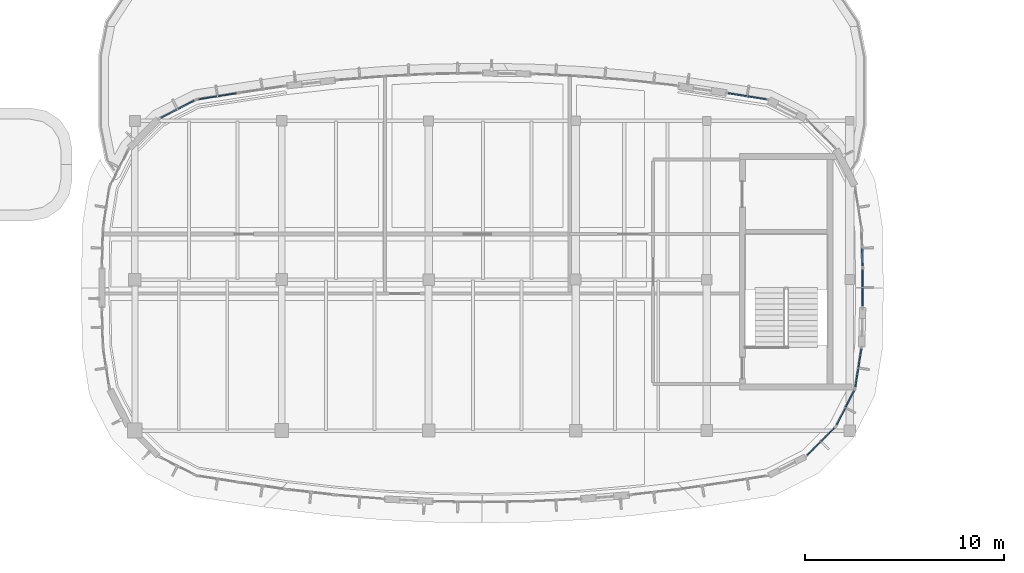
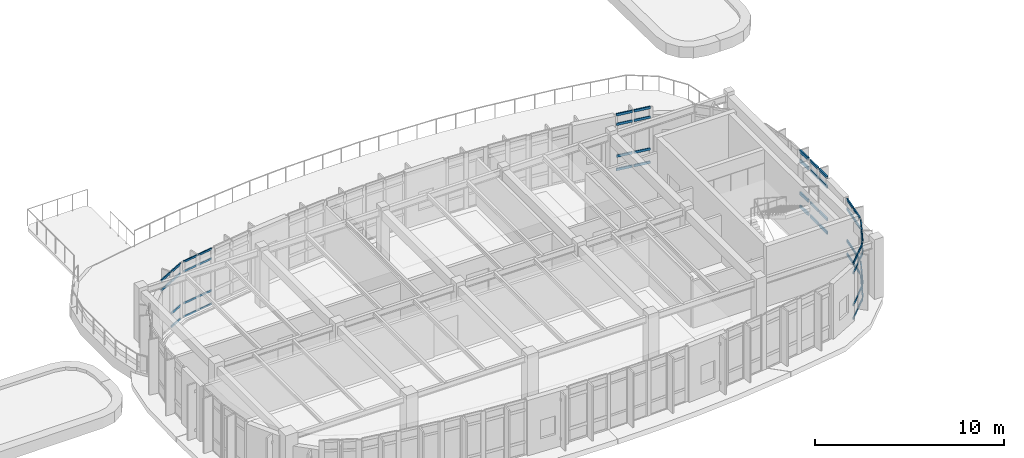
# One storey, part 58 of 111: 58 members, 8 elements without a shape of their own.
"""IFC4 building model written with IfcOpenShell, lengths in metres."""

from ifc_helpers import new_model, si_unit, direction, frame, origin, origin_2d, place, context, subcontext, project, spatial, rectangle, extrude, material, material_profile, profile_set, type_object, element, aggregate, save


model = new_model("IFC4")

# Units and contexts
model_context = context("Model", 3, precision=1e-05, world=origin(), true_north=direction((0.0, 1.0)))
body_context = subcontext(model_context, "Body", "Model", "MODEL_VIEW")
ifc_project = project(units=[si_unit("LENGTHUNIT", "METRE"), si_unit("AREAUNIT", "SQUARE_METRE"), si_unit("VOLUMEUNIT", "CUBIC_METRE"), si_unit("PLANEANGLEUNIT", "RADIAN"), si_unit("MASSUNIT", "GRAM", prefix="KILO")], contexts=[model_context])

# Site, building, storey
site_placement = place(None, origin())
site = spatial("IfcSite", under=ifc_project, at=site_placement, CompositionType="ELEMENT")
building_placement = place(site_placement, origin())
building = spatial("IfcBuilding", under=site, at=building_placement, Name="Corveleigh Park Community Centre", CompositionType="ELEMENT")
storey_placement = place(building_placement, frame((0.0, 0.0, 4.800048828125)))
storey = spatial("IfcBuildingStorey", under=building, at=storey_placement, Name="L01", CompositionType="ELEMENT", Elevation=4.800048828125)

# Curtain wall, members
ifc_material = material(Name="Anodised aluminium 6063-T6", Category="aluminium")
curtain_wall_type = type_object("IfcCurtainWallType", Name="CW-SYS-V3-UPP", PredefinedType="NOTDEFINED", material=ifc_material)
curtain_wall_1_placement = place(storey_placement, origin())
curtain_wall_1 = element("IfcCurtainWall", 1, at=curtain_wall_1_placement, inside=storey, type_object=curtain_wall_type, Name="V3 L01 Curtain Wall 236", PredefinedType="NOTDEFINED")
ifc_material_profile_1 = material_profile(ifc_material, rectangle(XDim=0.06005859375, YDim=0.1201171875, at=origin_2d()), Name="ALU-T60x120", Category="aluminium")
ifc_profile_set_1 = profile_set([ifc_material_profile_1], Name="Anodised aluminium 6063-T6")
member_type_1 = type_object("IfcMemberType", Name="CWT-60x120", PredefinedType="USERDEFINED", material=ifc_profile_set_1)
member_1_placement = place(storey_placement, frame((107.22802734375, 11.330078125, 0.030029296875), z_axis=(-0.707106781187, -0.707106781187, 0.0), x_axis=(0.707106781187, -0.707106781187, 0.0)))
member_1 = element("IfcMember", 2, at=member_1_placement, type_object=member_type_1, Name="CW06 transom 1.1", ObjectType="TRANSOM", PredefinedType="USERDEFINED", context=body_context, shape_type="SweptSolid", body=[
    extrude(rectangle(XDim=0.06005859375, YDim=0.1201171875, at=origin_2d()), origin(), (0.0, 0.0, 1.0), 0.927734375),
])
member_2_placement = place(storey_placement, frame((107.22802734375, 11.330078125, 0.89990234375), z_axis=(-0.707106781187, -0.707106781187, 0.0), x_axis=(0.707106781187, -0.707106781187, 0.0)))
member_2 = element("IfcMember", 3, at=member_2_placement, type_object=member_type_1, Name="CW06 transom 1.2", ObjectType="TRANSOM", PredefinedType="USERDEFINED", context=body_context, shape_type="SweptSolid", body=[
    extrude(rectangle(XDim=0.06005859375, YDim=0.1201171875, at=origin_2d()), origin(), (0.0, 0.0, 1.0), 0.927734375),
])
member_3_placement = place(storey_placement, frame((107.22802734375, 11.330078125, 2.969970703125), z_axis=(-0.707106781187, -0.707106781187, 0.0), x_axis=(0.707106781187, -0.707106781187, 0.0)))
member_3 = element("IfcMember", 4, at=member_3_placement, type_object=member_type_1, Name="CW06 transom 1.3", ObjectType="TRANSOM", PredefinedType="USERDEFINED", context=body_context, shape_type="SweptSolid", body=[
    extrude(rectangle(XDim=0.06005859375, YDim=0.1201171875, at=origin_2d()), origin(), (0.0, 0.0, 1.0), 0.927734375),
])
member_4_placement = place(storey_placement, frame((107.22802734375, 11.330078125, 3.58984375), z_axis=(-0.707106781187, -0.707106781187, 0.0), x_axis=(0.707106781187, -0.707106781187, 0.0)))
member_4 = element("IfcMember", 5, at=member_4_placement, type_object=member_type_1, Name="CW06 transom 1.4", ObjectType="TRANSOM", PredefinedType="USERDEFINED", context=body_context, shape_type="SweptSolid", body=[
    extrude(rectangle(XDim=0.06005859375, YDim=0.1201171875, at=origin_2d()), origin(), (0.0, 0.0, 1.0), 0.927734375),
])
member_5_placement = place(storey_placement, frame((106.526123046875, 10.6279296875, 0.030029296875), z_axis=(-0.707238323697, -0.706975214201, 0.0), x_axis=(0.706975214201, -0.707238323697, 0.0)))
member_5 = element("IfcMember", 6, at=member_5_placement, type_object=member_type_1, Name="CW06 transom 2.1", ObjectType="TRANSOM", PredefinedType="USERDEFINED", context=body_context, shape_type="SweptSolid", body=[
    extrude(rectangle(XDim=0.06005859375, YDim=0.1201171875, at=origin_2d()), origin(), (0.0, 0.0, 1.0), 0.927978515625),
])
member_6_placement = place(storey_placement, frame((106.526123046875, 10.6279296875, 0.89990234375), z_axis=(-0.707238323697, -0.706975214201, 0.0), x_axis=(0.706975214201, -0.707238323697, 0.0)))
member_6 = element("IfcMember", 7, at=member_6_placement, type_object=member_type_1, Name="CW06 transom 2.2", ObjectType="TRANSOM", PredefinedType="USERDEFINED", context=body_context, shape_type="SweptSolid", body=[
    extrude(rectangle(XDim=0.06005859375, YDim=0.1201171875, at=origin_2d()), origin(), (0.0, 0.0, 1.0), 0.927978515625),
])
member_7_placement = place(storey_placement, frame((106.526123046875, 10.6279296875, 2.969970703125), z_axis=(-0.707238323697, -0.706975214201, 0.0), x_axis=(0.706975214201, -0.707238323697, 0.0)))
member_7 = element("IfcMember", 8, at=member_7_placement, type_object=member_type_1, Name="CW06 transom 2.3", ObjectType="TRANSOM", PredefinedType="USERDEFINED", context=body_context, shape_type="SweptSolid", body=[
    extrude(rectangle(XDim=0.06005859375, YDim=0.1201171875, at=origin_2d()), origin(), (0.0, 0.0, 1.0), 0.927978515625),
])
member_8_placement = place(storey_placement, frame((106.526123046875, 10.6279296875, 3.58984375), z_axis=(-0.707238323697, -0.706975214201, 0.0), x_axis=(0.706975214201, -0.707238323697, 0.0)))
member_8 = element("IfcMember", 9, at=member_8_placement, type_object=member_type_1, Name="CW06 transom 2.4", ObjectType="TRANSOM", PredefinedType="USERDEFINED", context=body_context, shape_type="SweptSolid", body=[
    extrude(rectangle(XDim=0.06005859375, YDim=0.1201171875, at=origin_2d()), origin(), (0.0, 0.0, 1.0), 0.927978515625),
])
aggregate(curtain_wall_1, [member_1, member_2, member_3, member_4, member_5, member_6, member_7, member_8])

curtain_wall_2_placement = place(storey_placement, origin())
curtain_wall_2 = element("IfcCurtainWall", 10, at=curtain_wall_2_placement, inside=storey, type_object=curtain_wall_type, Name="V3 L01 Curtain Wall 251", PredefinedType="NOTDEFINED")
member_9_placement = place(storey_placement, frame((75.216064453125, 27.885498046875, 0.030029296875), z_axis=(0.987646603365, 0.1566977564, 0.0), x_axis=(-0.1566977564, 0.987646603365, 0.0)))
member_9 = element("IfcMember", 11, at=member_9_placement, type_object=member_type_1, Name="CW06 transom 1.1", ObjectType="TRANSOM", PredefinedType="USERDEFINED", context=body_context, shape_type="SweptSolid", body=[
    extrude(rectangle(XDim=0.06005859375, YDim=0.1201171875, at=origin_2d()), origin(), (0.0, 0.0, 1.0), 0.9208984375),
])
member_10_placement = place(storey_placement, frame((75.216064453125, 27.885498046875, 0.89990234375), z_axis=(0.987646603365, 0.1566977564, 0.0), x_axis=(-0.1566977564, 0.987646603365, 0.0)))
member_10 = element("IfcMember", 12, at=member_10_placement, type_object=member_type_1, Name="CW06 transom 1.2", ObjectType="TRANSOM", PredefinedType="USERDEFINED", context=body_context, shape_type="SweptSolid", body=[
    extrude(rectangle(XDim=0.06005859375, YDim=0.1201171875, at=origin_2d()), origin(), (0.0, 0.0, 1.0), 0.9208984375),
])
member_11_placement = place(storey_placement, frame((75.216064453125, 27.885498046875, 2.9619140625), z_axis=(0.987646603365, 0.1566977564, 0.0), x_axis=(-0.1566977564, 0.987646603365, 0.0)))
member_11 = element("IfcMember", 13, at=member_11_placement, type_object=member_type_1, Name="CW06 transom 1.3", ObjectType="TRANSOM", PredefinedType="USERDEFINED", context=body_context, shape_type="SweptSolid", body=[
    extrude(rectangle(XDim=0.06005859375, YDim=0.1201171875, at=origin_2d()), origin(), (0.0, 0.0, 1.0), 0.9208984375),
])
member_12_placement = place(storey_placement, frame((75.216064453125, 27.885498046875, 3.58203125), z_axis=(0.987646603365, 0.1566977564, 0.0), x_axis=(-0.1566977564, 0.987646603365, 0.0)))
member_12 = element("IfcMember", 14, at=member_12_placement, type_object=member_type_1, Name="CW06 transom 1.4", ObjectType="TRANSOM", PredefinedType="USERDEFINED", context=body_context, shape_type="SweptSolid", body=[
    extrude(rectangle(XDim=0.06005859375, YDim=0.1201171875, at=origin_2d()), origin(), (0.0, 0.0, 1.0), 0.9208984375),
])
member_13_placement = place(storey_placement, frame((76.20458984375, 28.042236328125, 0.030029296875), z_axis=(0.987646603365, 0.1566977564, 0.0), x_axis=(-0.1566977564, 0.987646603365, 0.0)))
member_13 = element("IfcMember", 15, at=member_13_placement, type_object=member_type_1, Name="CW06 transom 2.1", ObjectType="TRANSOM", PredefinedType="USERDEFINED", context=body_context, shape_type="SweptSolid", body=[
    extrude(rectangle(XDim=0.06005859375, YDim=0.1201171875, at=origin_2d()), origin(), (0.0, 0.0, 1.0), 0.9208984375),
])
member_14_placement = place(storey_placement, frame((76.20458984375, 28.042236328125, 0.89990234375), z_axis=(0.987646603365, 0.1566977564, 0.0), x_axis=(-0.1566977564, 0.987646603365, 0.0)))
member_14 = element("IfcMember", 16, at=member_14_placement, type_object=member_type_1, Name="CW06 transom 2.2", ObjectType="TRANSOM", PredefinedType="USERDEFINED", context=body_context, shape_type="SweptSolid", body=[
    extrude(rectangle(XDim=0.06005859375, YDim=0.1201171875, at=origin_2d()), origin(), (0.0, 0.0, 1.0), 0.9208984375),
])
member_15_placement = place(storey_placement, frame((76.20458984375, 28.042236328125, 2.9619140625), z_axis=(0.987646603365, 0.1566977564, 0.0), x_axis=(-0.1566977564, 0.987646603365, 0.0)))
member_15 = element("IfcMember", 17, at=member_15_placement, type_object=member_type_1, Name="CW06 transom 2.3", ObjectType="TRANSOM", PredefinedType="USERDEFINED", context=body_context, shape_type="SweptSolid", body=[
    extrude(rectangle(XDim=0.06005859375, YDim=0.1201171875, at=origin_2d()), origin(), (0.0, 0.0, 1.0), 0.9208984375),
])
member_16_placement = place(storey_placement, frame((76.20458984375, 28.042236328125, 3.58203125), z_axis=(0.987646603365, 0.1566977564, 0.0), x_axis=(-0.1566977564, 0.987646603365, 0.0)))
member_16 = element("IfcMember", 18, at=member_16_placement, type_object=member_type_1, Name="CW06 transom 2.4", ObjectType="TRANSOM", PredefinedType="USERDEFINED", context=body_context, shape_type="SweptSolid", body=[
    extrude(rectangle(XDim=0.06005859375, YDim=0.1201171875, at=origin_2d()), origin(), (0.0, 0.0, 1.0), 0.9208984375),
])
aggregate(curtain_wall_2, [member_9, member_10, member_11, member_12, member_13, member_14, member_15, member_16])

curtain_wall_3_placement = place(storey_placement, origin())
curtain_wall_3 = element("IfcCurtainWall", 19, at=curtain_wall_3_placement, inside=storey, type_object=curtain_wall_type, Name="V3 L01 Curtain Wall 237", PredefinedType="NOTDEFINED")
ifc_material_profile_2 = material_profile(ifc_material, rectangle(XDim=0.06494140625, YDim=0.139892578125, at=origin_2d()), Name="ALU-T65x140", Category="aluminium")
ifc_profile_set_2 = profile_set([ifc_material_profile_2], Name="Anodised aluminium 6063-T6")
member_type_2 = type_object("IfcMemberType", Name="CWT-65x140", PredefinedType="USERDEFINED", material=ifc_profile_set_2)
member_17_placement = place(storey_placement, frame((108.21826171875, 13.20263671875, 0.032470703125), z_axis=(-0.454302944824, -0.89084725645, 0.0), x_axis=(0.89084725645, -0.454302944824, 0.0)))
member_17 = element("IfcMember", 20, at=member_17_placement, type_object=member_type_2, Name="CW06 transom 1.1", ObjectType="TRANSOM", PredefinedType="USERDEFINED", context=body_context, shape_type="SweptSolid", body=[
    extrude(rectangle(XDim=0.06494140625, YDim=0.139892578125, at=origin_2d()), origin(), (0.0, 0.0, 1.0), 0.921142578125),
])
member_18_placement = place(storey_placement, frame((108.21826171875, 13.20263671875, 0.89990234375), z_axis=(-0.454302944824, -0.89084725645, 0.0), x_axis=(0.89084725645, -0.454302944824, 0.0)))
member_18 = element("IfcMember", 21, at=member_18_placement, type_object=member_type_2, Name="CW06 transom 1.2", ObjectType="TRANSOM", PredefinedType="USERDEFINED", context=body_context, shape_type="SweptSolid", body=[
    extrude(rectangle(XDim=0.06494140625, YDim=0.139892578125, at=origin_2d()), origin(), (0.0, 0.0, 1.0), 0.921142578125),
])
member_19_placement = place(storey_placement, frame((108.21826171875, 13.20263671875, 2.969970703125), z_axis=(-0.454302944824, -0.89084725645, 0.0), x_axis=(0.89084725645, -0.454302944824, 0.0)))
member_19 = element("IfcMember", 22, at=member_19_placement, type_object=member_type_2, Name="CW06 transom 1.3", ObjectType="TRANSOM", PredefinedType="USERDEFINED", context=body_context, shape_type="SweptSolid", body=[
    extrude(rectangle(XDim=0.06494140625, YDim=0.139892578125, at=origin_2d()), origin(), (0.0, 0.0, 1.0), 0.921142578125),
])
member_20_placement = place(storey_placement, frame((108.21826171875, 13.20263671875, 3.58740234375), z_axis=(-0.454302944824, -0.89084725645, 0.0), x_axis=(0.89084725645, -0.454302944824, 0.0)))
member_20 = element("IfcMember", 23, at=member_20_placement, type_object=member_type_2, Name="CW06 transom 1.4", ObjectType="TRANSOM", PredefinedType="USERDEFINED", context=body_context, shape_type="SweptSolid", body=[
    extrude(rectangle(XDim=0.06494140625, YDim=0.139892578125, at=origin_2d()), origin(), (0.0, 0.0, 1.0), 0.921142578125),
])
member_21_placement = place(storey_placement, frame((107.76806640625, 12.31982421875, 0.032470703125), z_axis=(-0.454092557454, -0.890954515823, 0.0), x_axis=(0.890954515823, -0.454092557454, 0.0)))
member_21 = element("IfcMember", 24, at=member_21_placement, type_object=member_type_2, Name="CW06 transom 2.1", ObjectType="TRANSOM", PredefinedType="USERDEFINED", context=body_context, shape_type="SweptSolid", body=[
    extrude(rectangle(XDim=0.06494140625, YDim=0.139892578125, at=origin_2d()), origin(), (0.0, 0.0, 1.0), 0.9208984375),
])
member_22_placement = place(storey_placement, frame((107.76806640625, 12.31982421875, 0.89990234375), z_axis=(-0.454092557454, -0.890954515823, 0.0), x_axis=(0.890954515823, -0.454092557454, 0.0)))
member_22 = element("IfcMember", 25, at=member_22_placement, type_object=member_type_2, Name="CW06 transom 2.2", ObjectType="TRANSOM", PredefinedType="USERDEFINED", context=body_context, shape_type="SweptSolid", body=[
    extrude(rectangle(XDim=0.06494140625, YDim=0.139892578125, at=origin_2d()), origin(), (0.0, 0.0, 1.0), 0.9208984375),
])
member_23_placement = place(storey_placement, frame((107.76806640625, 12.31982421875, 2.969970703125), z_axis=(-0.454092557454, -0.890954515823, 0.0), x_axis=(0.890954515823, -0.454092557454, 0.0)))
member_23 = element("IfcMember", 26, at=member_23_placement, type_object=member_type_2, Name="CW06 transom 2.3", ObjectType="TRANSOM", PredefinedType="USERDEFINED", context=body_context, shape_type="SweptSolid", body=[
    extrude(rectangle(XDim=0.06494140625, YDim=0.139892578125, at=origin_2d()), origin(), (0.0, 0.0, 1.0), 0.9208984375),
])
member_24_placement = place(storey_placement, frame((107.76806640625, 12.31982421875, 3.58740234375), z_axis=(-0.454092557454, -0.890954515823, 0.0), x_axis=(0.890954515823, -0.454092557454, 0.0)))
member_24 = element("IfcMember", 27, at=member_24_placement, type_object=member_type_2, Name="CW06 transom 2.4", ObjectType="TRANSOM", PredefinedType="USERDEFINED", context=body_context, shape_type="SweptSolid", body=[
    extrude(rectangle(XDim=0.06494140625, YDim=0.139892578125, at=origin_2d()), origin(), (0.0, 0.0, 1.0), 0.9208984375),
])
aggregate(curtain_wall_3, [member_17, member_18, member_19, member_20, member_21, member_22, member_23, member_24])

curtain_wall_4_placement = place(storey_placement, origin())
curtain_wall_4 = element("IfcCurtainWall", 28, at=curtain_wall_4_placement, inside=storey, type_object=curtain_wall_type, Name="V3 L01 Curtain Wall 252", PredefinedType="NOTDEFINED")
member_25_placement = place(storey_placement, frame((73.312744140625, 26.95654296875, 2.9619140625), z_axis=(0.890811258028, 0.454373527585, 0.0), x_axis=(-0.454373527585, 0.890811258028, 0.0)))
member_25 = element("IfcMember", 29, at=member_25_placement, type_object=member_type_2, Name="CW06 transom 1.3", ObjectType="TRANSOM", PredefinedType="USERDEFINED", context=body_context, shape_type="SweptSolid", body=[
    extrude(rectangle(XDim=0.06494140625, YDim=0.139892578125, at=origin_2d()), origin(), (0.0, 0.0, 1.0), 0.8984375),
])
member_26_placement = place(storey_placement, frame((73.312744140625, 26.95654296875, 3.579345703125), z_axis=(0.890811258028, 0.454373527585, 0.0), x_axis=(-0.454373527585, 0.890811258028, 0.0)))
member_26 = element("IfcMember", 30, at=member_26_placement, type_object=member_type_2, Name="CW06 transom 1.4", ObjectType="TRANSOM", PredefinedType="USERDEFINED", context=body_context, shape_type="SweptSolid", body=[
    extrude(rectangle(XDim=0.06494140625, YDim=0.139892578125, at=origin_2d()), origin(), (0.0, 0.0, 1.0), 0.8984375),
])
member_27_placement = place(storey_placement, frame((74.18896484375, 27.4033203125, 0.032470703125), z_axis=(0.890921241139, 0.454157838299, 0.0), x_axis=(-0.454157838299, 0.890921241139, 0.0)))
member_27 = element("IfcMember", 31, at=member_27_placement, type_object=member_type_2, Name="CW06 transom 2.1", ObjectType="TRANSOM", PredefinedType="USERDEFINED", context=body_context, shape_type="SweptSolid", body=[
    extrude(rectangle(XDim=0.06494140625, YDim=0.139892578125, at=origin_2d()), origin(), (0.0, 0.0, 1.0), 0.898193359375),
])
member_28_placement = place(storey_placement, frame((74.18896484375, 27.4033203125, 0.89990234375), z_axis=(0.890921241139, 0.454157838299, 0.0), x_axis=(-0.454157838299, 0.890921241139, 0.0)))
member_28 = element("IfcMember", 32, at=member_28_placement, type_object=member_type_2, Name="CW06 transom 2.2", ObjectType="TRANSOM", PredefinedType="USERDEFINED", context=body_context, shape_type="SweptSolid", body=[
    extrude(rectangle(XDim=0.06494140625, YDim=0.139892578125, at=origin_2d()), origin(), (0.0, 0.0, 1.0), 0.898193359375),
])
member_29_placement = place(storey_placement, frame((74.18896484375, 27.4033203125, 2.9619140625), z_axis=(0.890921241139, 0.454157838299, 0.0), x_axis=(-0.454157838299, 0.890921241139, 0.0)))
member_29 = element("IfcMember", 33, at=member_29_placement, type_object=member_type_2, Name="CW06 transom 2.3", ObjectType="TRANSOM", PredefinedType="USERDEFINED", context=body_context, shape_type="SweptSolid", body=[
    extrude(rectangle(XDim=0.06494140625, YDim=0.139892578125, at=origin_2d()), origin(), (0.0, 0.0, 1.0), 0.898193359375),
])
member_30_placement = place(storey_placement, frame((74.18896484375, 27.4033203125, 3.579345703125), z_axis=(0.890921241139, 0.454157838299, 0.0), x_axis=(-0.454157838299, 0.890921241139, 0.0)))
member_30 = element("IfcMember", 34, at=member_30_placement, type_object=member_type_2, Name="CW06 transom 2.4", ObjectType="TRANSOM", PredefinedType="USERDEFINED", context=body_context, shape_type="SweptSolid", body=[
    extrude(rectangle(XDim=0.06494140625, YDim=0.139892578125, at=origin_2d()), origin(), (0.0, 0.0, 1.0), 0.898193359375),
])
aggregate(curtain_wall_4, [member_25, member_26, member_27, member_28, member_29, member_30])

curtain_wall_5_placement = place(storey_placement, origin())
curtain_wall_5 = element("IfcCurtainWall", 35, at=curtain_wall_5_placement, inside=storey, type_object=curtain_wall_type, Name="V3 L01 Curtain Wall 238", PredefinedType="NOTDEFINED")
ifc_material_profile_3 = material_profile(ifc_material, rectangle(XDim=0.070068359375, YDim=0.155029296875, at=origin_2d()), Name="ALU-T70x155", Category="aluminium")
ifc_profile_set_3 = profile_set([ifc_material_profile_3], Name="Anodised aluminium 6063-T6")
member_type_3 = type_object("IfcMemberType", Name="CWT-70x155", PredefinedType="USERDEFINED", material=ifc_profile_set_3)
member_31_placement = place(storey_placement, frame((108.585205078125, 15.306884765625, 0.034912109375), z_axis=(-0.156451936159, -0.987685573283, 0.0), x_axis=(0.987685573283, -0.156451936159, 0.0)))
member_31 = element("IfcMember", 36, at=member_31_placement, type_object=member_type_3, Name="CW06 transom 1.1", ObjectType="TRANSOM", PredefinedType="USERDEFINED", context=body_context, shape_type="SweptSolid", body=[
    extrude(rectangle(XDim=0.070068359375, YDim=0.155029296875, at=origin_2d()), origin(), (0.0, 0.0, 1.0), 0.92236328125),
])
member_32_placement = place(storey_placement, frame((108.585205078125, 15.306884765625, 0.89990234375), z_axis=(-0.156451936159, -0.987685573283, 0.0), x_axis=(0.987685573283, -0.156451936159, 0.0)))
member_32 = element("IfcMember", 37, at=member_32_placement, type_object=member_type_3, Name="CW06 transom 1.2", ObjectType="TRANSOM", PredefinedType="USERDEFINED", context=body_context, shape_type="SweptSolid", body=[
    extrude(rectangle(XDim=0.070068359375, YDim=0.155029296875, at=origin_2d()), origin(), (0.0, 0.0, 1.0), 0.92236328125),
])
member_33_placement = place(storey_placement, frame((108.585205078125, 15.306884765625, 2.969970703125), z_axis=(-0.156451936159, -0.987685573283, 0.0), x_axis=(0.987685573283, -0.156451936159, 0.0)))
member_33 = element("IfcMember", 38, at=member_33_placement, type_object=member_type_3, Name="CW06 transom 1.3", ObjectType="TRANSOM", PredefinedType="USERDEFINED", context=body_context, shape_type="SweptSolid", body=[
    extrude(rectangle(XDim=0.070068359375, YDim=0.155029296875, at=origin_2d()), origin(), (0.0, 0.0, 1.0), 0.92236328125),
])
member_34_placement = place(storey_placement, frame((108.585205078125, 15.306884765625, 3.5849609375), z_axis=(-0.156451936159, -0.987685573283, 0.0), x_axis=(0.987685573283, -0.156451936159, 0.0)))
member_34 = element("IfcMember", 39, at=member_34_placement, type_object=member_type_3, Name="CW06 transom 1.4", ObjectType="TRANSOM", PredefinedType="USERDEFINED", context=body_context, shape_type="SweptSolid", body=[
    extrude(rectangle(XDim=0.070068359375, YDim=0.155029296875, at=origin_2d()), origin(), (0.0, 0.0, 1.0), 0.92236328125),
])
member_35_placement = place(storey_placement, frame((108.42919921875, 14.322021484375, 0.034912109375), z_axis=(-0.15671016449, -0.987644634646, 0.0), x_axis=(0.987644634646, -0.15671016449, 0.0)))
member_35 = element("IfcMember", 40, at=member_35_placement, type_object=member_type_3, Name="CW06 transom 2.1", ObjectType="TRANSOM", PredefinedType="USERDEFINED", context=body_context, shape_type="SweptSolid", body=[
    extrude(rectangle(XDim=0.070068359375, YDim=0.155029296875, at=origin_2d()), origin(), (0.0, 0.0, 1.0), 0.92236328125),
])
member_36_placement = place(storey_placement, frame((108.42919921875, 14.322021484375, 0.89990234375), z_axis=(-0.15671016449, -0.987644634646, 0.0), x_axis=(0.987644634646, -0.15671016449, 0.0)))
member_36 = element("IfcMember", 41, at=member_36_placement, type_object=member_type_3, Name="CW06 transom 2.2", ObjectType="TRANSOM", PredefinedType="USERDEFINED", context=body_context, shape_type="SweptSolid", body=[
    extrude(rectangle(XDim=0.070068359375, YDim=0.155029296875, at=origin_2d()), origin(), (0.0, 0.0, 1.0), 0.92236328125),
])
member_37_placement = place(storey_placement, frame((108.42919921875, 14.322021484375, 2.969970703125), z_axis=(-0.15671016449, -0.987644634646, 0.0), x_axis=(0.987644634646, -0.15671016449, 0.0)))
member_37 = element("IfcMember", 42, at=member_37_placement, type_object=member_type_3, Name="CW06 transom 2.3", ObjectType="TRANSOM", PredefinedType="USERDEFINED", context=body_context, shape_type="SweptSolid", body=[
    extrude(rectangle(XDim=0.070068359375, YDim=0.155029296875, at=origin_2d()), origin(), (0.0, 0.0, 1.0), 0.92236328125),
])
member_38_placement = place(storey_placement, frame((108.42919921875, 14.322021484375, 3.5849609375), z_axis=(-0.15671016449, -0.987644634646, 0.0), x_axis=(0.987644634646, -0.15671016449, 0.0)))
member_38 = element("IfcMember", 43, at=member_38_placement, type_object=member_type_3, Name="CW06 transom 2.4", ObjectType="TRANSOM", PredefinedType="USERDEFINED", context=body_context, shape_type="SweptSolid", body=[
    extrude(rectangle(XDim=0.070068359375, YDim=0.155029296875, at=origin_2d()), origin(), (0.0, 0.0, 1.0), 0.92236328125),
])
aggregate(curtain_wall_5, [member_31, member_32, member_33, member_34, member_35, member_36, member_37, member_38])

curtain_wall_6_placement = place(storey_placement, origin())
curtain_wall_6 = element("IfcCurtainWall", 44, at=curtain_wall_6_placement, inside=storey, type_object=curtain_wall_type, Name="V3 L01 Curtain Wall 243", PredefinedType="NOTDEFINED")
member_39_placement = place(storey_placement, frame((101.876220703125, 28.18798828125, 0.034912109375), z_axis=(0.987673966461, -0.156525192783, 0.0), x_axis=(0.156525192783, 0.987673966461, 0.0)))
member_39 = element("IfcMember", 45, at=member_39_placement, type_object=member_type_3, Name="CW06 transom 1.1", ObjectType="TRANSOM", PredefinedType="USERDEFINED", context=body_context, shape_type="SweptSolid", body=[
    extrude(rectangle(XDim=0.070068359375, YDim=0.155029296875, at=origin_2d()), origin(), (0.0, 0.0, 1.0), 0.935791015625),
])
member_40_placement = place(storey_placement, frame((101.876220703125, 28.18798828125, 0.89990234375), z_axis=(0.987673966461, -0.156525192783, 0.0), x_axis=(0.156525192783, 0.987673966461, 0.0)))
member_40 = element("IfcMember", 46, at=member_40_placement, type_object=member_type_3, Name="CW06 transom 1.2", ObjectType="TRANSOM", PredefinedType="USERDEFINED", context=body_context, shape_type="SweptSolid", body=[
    extrude(rectangle(XDim=0.070068359375, YDim=0.155029296875, at=origin_2d()), origin(), (0.0, 0.0, 1.0), 0.935791015625),
])
member_41_placement = place(storey_placement, frame((101.876220703125, 28.18798828125, 2.9619140625), z_axis=(0.987673966461, -0.156525192783, 0.0), x_axis=(0.156525192783, 0.987673966461, 0.0)))
member_41 = element("IfcMember", 47, at=member_41_placement, type_object=member_type_3, Name="CW06 transom 1.3", ObjectType="TRANSOM", PredefinedType="USERDEFINED", context=body_context, shape_type="SweptSolid", body=[
    extrude(rectangle(XDim=0.070068359375, YDim=0.155029296875, at=origin_2d()), origin(), (0.0, 0.0, 1.0), 0.935791015625),
])
member_42_placement = place(storey_placement, frame((101.876220703125, 28.18798828125, 3.576904296875), z_axis=(0.987673966461, -0.156525192783, 0.0), x_axis=(0.156525192783, 0.987673966461, 0.0)))
member_42 = element("IfcMember", 48, at=member_42_placement, type_object=member_type_3, Name="CW06 transom 1.4", ObjectType="TRANSOM", PredefinedType="USERDEFINED", context=body_context, shape_type="SweptSolid", body=[
    extrude(rectangle(XDim=0.070068359375, YDim=0.155029296875, at=origin_2d()), origin(), (0.0, 0.0, 1.0), 0.935791015625),
])
member_43_placement = place(storey_placement, frame((102.86962890625, 28.030517578125, 0.034912109375), z_axis=(0.987673966461, -0.156525192783, 0.0), x_axis=(0.156525192783, 0.987673966461, 0.0)))
member_43 = element("IfcMember", 49, at=member_43_placement, type_object=member_type_3, Name="CW06 transom 2.1", ObjectType="TRANSOM", PredefinedType="USERDEFINED", context=body_context, shape_type="SweptSolid", body=[
    extrude(rectangle(XDim=0.070068359375, YDim=0.155029296875, at=origin_2d()), origin(), (0.0, 0.0, 1.0), 0.935791015625),
])
member_44_placement = place(storey_placement, frame((102.86962890625, 28.030517578125, 0.89990234375), z_axis=(0.987673966461, -0.156525192783, 0.0), x_axis=(0.156525192783, 0.987673966461, 0.0)))
member_44 = element("IfcMember", 50, at=member_44_placement, type_object=member_type_3, Name="CW06 transom 2.2", ObjectType="TRANSOM", PredefinedType="USERDEFINED", context=body_context, shape_type="SweptSolid", body=[
    extrude(rectangle(XDim=0.070068359375, YDim=0.155029296875, at=origin_2d()), origin(), (0.0, 0.0, 1.0), 0.935791015625),
])
member_45_placement = place(storey_placement, frame((102.86962890625, 28.030517578125, 2.9619140625), z_axis=(0.987673966461, -0.156525192783, 0.0), x_axis=(0.156525192783, 0.987673966461, 0.0)))
member_45 = element("IfcMember", 51, at=member_45_placement, type_object=member_type_3, Name="CW06 transom 2.3", ObjectType="TRANSOM", PredefinedType="USERDEFINED", context=body_context, shape_type="SweptSolid", body=[
    extrude(rectangle(XDim=0.070068359375, YDim=0.155029296875, at=origin_2d()), origin(), (0.0, 0.0, 1.0), 0.935791015625),
])
member_46_placement = place(storey_placement, frame((102.86962890625, 28.030517578125, 3.576904296875), z_axis=(0.987673966461, -0.156525192783, 0.0), x_axis=(0.156525192783, 0.987673966461, 0.0)))
member_46 = element("IfcMember", 52, at=member_46_placement, type_object=member_type_3, Name="CW06 transom 2.4", ObjectType="TRANSOM", PredefinedType="USERDEFINED", context=body_context, shape_type="SweptSolid", body=[
    extrude(rectangle(XDim=0.070068359375, YDim=0.155029296875, at=origin_2d()), origin(), (0.0, 0.0, 1.0), 0.935791015625),
])
aggregate(curtain_wall_6, [member_39, member_40, member_41, member_42, member_43, member_44, member_45, member_46])

curtain_wall_7_placement = place(storey_placement, origin())
curtain_wall_7 = element("IfcCurtainWall", 53, at=curtain_wall_7_placement, inside=storey, type_object=curtain_wall_type, Name="V3 L01 Curtain Wall 239", PredefinedType="NOTDEFINED")
ifc_material_profile_4 = material_profile(ifc_material, rectangle(XDim=0.074951171875, YDim=0.175048828125, at=origin_2d()), Name="ALU-T75x175", Category="aluminium")
ifc_profile_set_4 = profile_set([ifc_material_profile_4], Name="Anodised aluminium 6063-T6")
member_type_4 = type_object("IfcMemberType", Name="CWT-75x175", PredefinedType="USERDEFINED", material=ifc_profile_set_4)
member_47_placement = place(storey_placement, frame((108.652099609375, 19.31103515625, 0.037353515625), z_axis=(0.0, -1.0, 0.0), x_axis=(1.0, 0.0, 0.0)))
member_47 = element("IfcMember", 54, at=member_47_placement, type_object=member_type_4, Name="CW06 transom 1.1", ObjectType="TRANSOM", PredefinedType="USERDEFINED", context=body_context, shape_type="SweptSolid", body=[
    extrude(rectangle(XDim=0.074951171875, YDim=0.175048828125, at=origin_2d()), origin(), (0.0, 0.0, 1.0), 0.87109375),
])
member_48_placement = place(storey_placement, frame((108.652099609375, 19.31103515625, 0.89990234375), z_axis=(0.0, -1.0, 0.0), x_axis=(1.0, 0.0, 0.0)))
member_48 = element("IfcMember", 55, at=member_48_placement, type_object=member_type_4, Name="CW06 transom 1.2", ObjectType="TRANSOM", PredefinedType="USERDEFINED", context=body_context, shape_type="SweptSolid", body=[
    extrude(rectangle(XDim=0.074951171875, YDim=0.175048828125, at=origin_2d()), origin(), (0.0, 0.0, 1.0), 0.87109375),
])
member_49_placement = place(storey_placement, frame((108.652099609375, 19.31103515625, 3.0068359375), z_axis=(0.0, -1.0, 0.0), x_axis=(1.0, 0.0, 0.0)))
member_49 = element("IfcMember", 56, at=member_49_placement, type_object=member_type_4, Name="CW06 transom 1.3", ObjectType="TRANSOM", PredefinedType="USERDEFINED", context=body_context, shape_type="SweptSolid", body=[
    extrude(rectangle(XDim=0.074951171875, YDim=0.175048828125, at=origin_2d()), origin(), (0.0, 0.0, 1.0), 0.87109375),
])
member_50_placement = place(storey_placement, frame((108.652099609375, 19.31103515625, 3.619384765625), z_axis=(0.0, -1.0, 0.0), x_axis=(1.0, 0.0, 0.0)))
member_50 = element("IfcMember", 57, at=member_50_placement, type_object=member_type_4, Name="CW06 transom 1.4", ObjectType="TRANSOM", PredefinedType="USERDEFINED", context=body_context, shape_type="SweptSolid", body=[
    extrude(rectangle(XDim=0.074951171875, YDim=0.175048828125, at=origin_2d()), origin(), (0.0, 0.0, 1.0), 0.87109375),
])
member_51_placement = place(storey_placement, frame((108.652099609375, 18.360107421875, 0.037353515625), z_axis=(0.0, -1.0, 0.0), x_axis=(1.0, 0.0, 0.0)))
member_51 = element("IfcMember", 58, at=member_51_placement, type_object=member_type_4, Name="CW06 transom 2.1", ObjectType="TRANSOM", PredefinedType="USERDEFINED", context=body_context, shape_type="SweptSolid", body=[
    extrude(rectangle(XDim=0.074951171875, YDim=0.175048828125, at=origin_2d()), origin(), (0.0, 0.0, 1.0), 0.87109375),
])
member_52_placement = place(storey_placement, frame((108.652099609375, 18.360107421875, 0.89990234375), z_axis=(0.0, -1.0, 0.0), x_axis=(1.0, 0.0, 0.0)))
member_52 = element("IfcMember", 59, at=member_52_placement, type_object=member_type_4, Name="CW06 transom 2.2", ObjectType="TRANSOM", PredefinedType="USERDEFINED", context=body_context, shape_type="SweptSolid", body=[
    extrude(rectangle(XDim=0.074951171875, YDim=0.175048828125, at=origin_2d()), origin(), (0.0, 0.0, 1.0), 0.87109375),
])
member_53_placement = place(storey_placement, frame((108.652099609375, 18.360107421875, 3.0068359375), z_axis=(0.0, -1.0, 0.0), x_axis=(1.0, 0.0, 0.0)))
member_53 = element("IfcMember", 60, at=member_53_placement, type_object=member_type_4, Name="CW06 transom 2.3", ObjectType="TRANSOM", PredefinedType="USERDEFINED", context=body_context, shape_type="SweptSolid", body=[
    extrude(rectangle(XDim=0.074951171875, YDim=0.175048828125, at=origin_2d()), origin(), (0.0, 0.0, 1.0), 0.87109375),
])
member_54_placement = place(storey_placement, frame((108.652099609375, 18.360107421875, 3.619384765625), z_axis=(0.0, -1.0, 0.0), x_axis=(1.0, 0.0, 0.0)))
member_54 = element("IfcMember", 61, at=member_54_placement, type_object=member_type_4, Name="CW06 transom 2.4", ObjectType="TRANSOM", PredefinedType="USERDEFINED", context=body_context, shape_type="SweptSolid", body=[
    extrude(rectangle(XDim=0.074951171875, YDim=0.175048828125, at=origin_2d()), origin(), (0.0, 0.0, 1.0), 0.87109375),
])
aggregate(curtain_wall_7, [member_47, member_48, member_49, member_50, member_51, member_52, member_53, member_54])

curtain_wall_8_placement = place(storey_placement, origin())
curtain_wall_8 = element("IfcCurtainWall", 62, at=curtain_wall_8_placement, inside=storey, type_object=curtain_wall_type, Name="V3 L01 Curtain Wall 240", PredefinedType="NOTDEFINED")
ifc_material_profile_5 = material_profile(ifc_material, rectangle(XDim=0.080078125, YDim=0.195068359375, at=origin_2d()), Name="ALU-T80x195", Category="aluminium")
ifc_profile_set_5 = profile_set([ifc_material_profile_5], Name="Anodised aluminium 6063-T6")
member_type_5 = type_object("IfcMemberType", Name="CWT-80x195", PredefinedType="USERDEFINED", material=ifc_profile_set_5)
member_55_placement = place(storey_placement, frame((108.627197265625, 20.3525390625, 0.0400390625), z_axis=(0.026149712675, -0.999658037794, 0.0), x_axis=(0.999658037794, 0.026149712675, 0.0)))
member_55 = element("IfcMember", 63, at=member_55_placement, type_object=member_type_5, Name="CW06 transom 2.1", ObjectType="TRANSOM", PredefinedType="USERDEFINED", context=body_context, shape_type="SweptSolid", body=[
    extrude(rectangle(XDim=0.080078125, YDim=0.195068359375, at=origin_2d()), origin(), (0.0, 0.0, 1.0), 0.85888671875),
])
member_56_placement = place(storey_placement, frame((108.627197265625, 20.3525390625, 0.89990234375), z_axis=(0.026149712675, -0.999658037794, 0.0), x_axis=(0.999658037794, 0.026149712675, 0.0)))
member_56 = element("IfcMember", 64, at=member_56_placement, type_object=member_type_5, Name="CW06 transom 2.2", ObjectType="TRANSOM", PredefinedType="USERDEFINED", context=body_context, shape_type="SweptSolid", body=[
    extrude(rectangle(XDim=0.080078125, YDim=0.195068359375, at=origin_2d()), origin(), (0.0, 0.0, 1.0), 0.85888671875),
])
member_57_placement = place(storey_placement, frame((108.627197265625, 20.3525390625, 3.0068359375), z_axis=(0.026149712675, -0.999658037794, 0.0), x_axis=(0.999658037794, 0.026149712675, 0.0)))
member_57 = element("IfcMember", 65, at=member_57_placement, type_object=member_type_5, Name="CW06 transom 2.3", ObjectType="TRANSOM", PredefinedType="USERDEFINED", context=body_context, shape_type="SweptSolid", body=[
    extrude(rectangle(XDim=0.080078125, YDim=0.195068359375, at=origin_2d()), origin(), (0.0, 0.0, 1.0), 0.85888671875),
])
member_58_placement = place(storey_placement, frame((108.627197265625, 20.3525390625, 3.616943359375), z_axis=(0.026149712675, -0.999658037794, 0.0), x_axis=(0.999658037794, 0.026149712675, 0.0)))
member_58 = element("IfcMember", 66, at=member_58_placement, type_object=member_type_5, Name="CW06 transom 2.4", ObjectType="TRANSOM", PredefinedType="USERDEFINED", context=body_context, shape_type="SweptSolid", body=[
    extrude(rectangle(XDim=0.080078125, YDim=0.195068359375, at=origin_2d()), origin(), (0.0, 0.0, 1.0), 0.85888671875),
])
aggregate(curtain_wall_8, [member_55, member_56, member_57, member_58])

save(model, "model.ifc")
